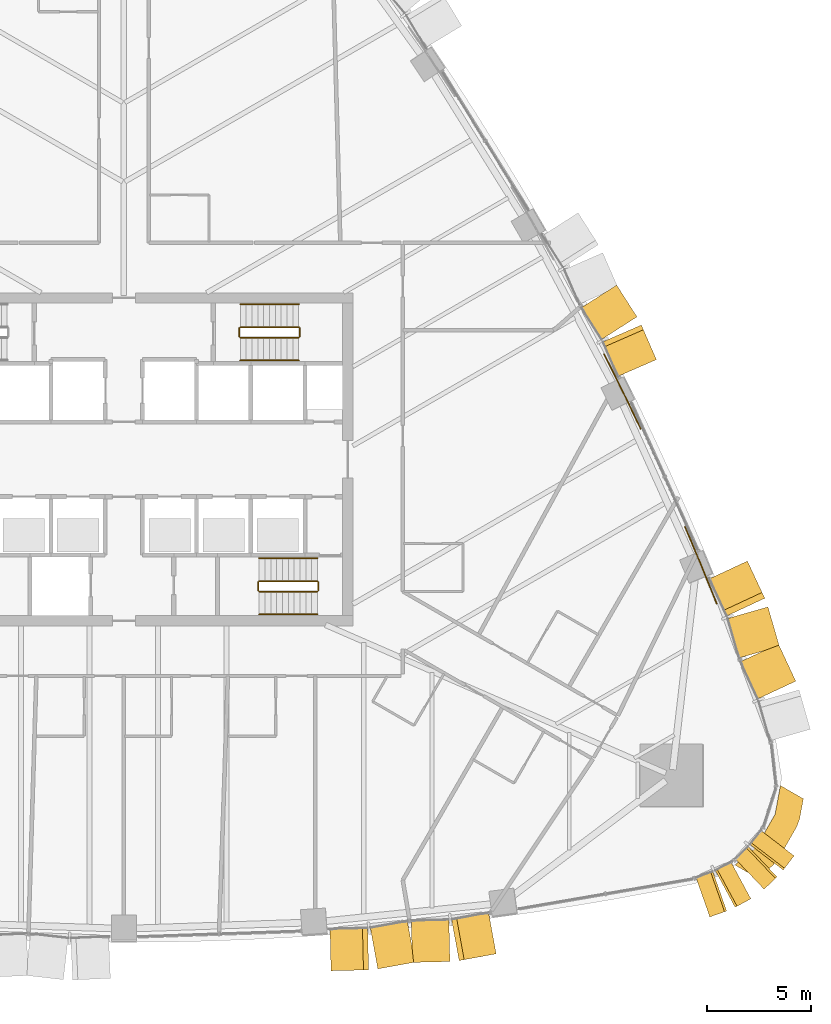
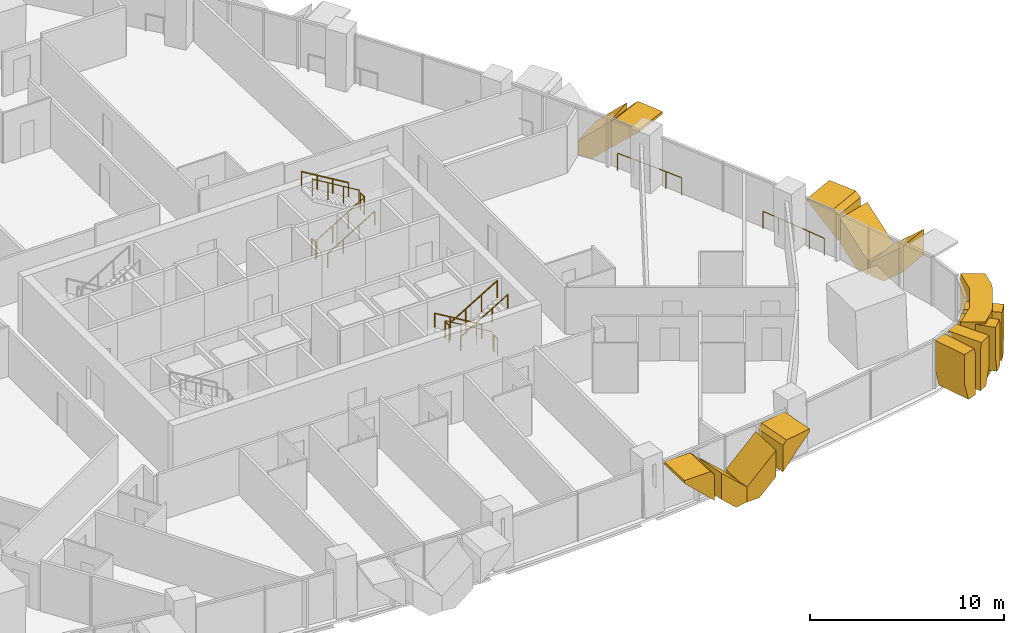
# One storey, part 17 of 19: 14 coverings, 14 railings.
"""IFC4 building model written with IfcOpenShell, lengths in metres."""

from ifc_helpers import new_model, si_unit, direction, frame, origin, origin_2d, place, context, subcontext, project, spatial, polyline, circle, outline, extrude, material, layer, layer_set, type_object, element, save


model = new_model("IFC4")

# Units and contexts
model_context = context("Model", 3, precision=1e-05, world=origin(), true_north=direction((0.0, 1.0)))
body_context = subcontext(model_context, "Body", "Model", "MODEL_VIEW")
ifc_project = project(units=[si_unit("LENGTHUNIT", "METRE"), si_unit("AREAUNIT", "SQUARE_METRE"), si_unit("VOLUMEUNIT", "CUBIC_METRE"), si_unit("PLANEANGLEUNIT", "RADIAN"), si_unit("MASSUNIT", "GRAM", prefix="KILO")], contexts=[model_context])

# Site, building, storey
site_placement = place(None, origin())
site = spatial("IfcSite", under=ifc_project, at=site_placement, CompositionType="ELEMENT")
building_placement = place(site_placement, origin())
building = spatial("IfcBuilding", under=site, at=building_placement, Name="Sierra Prisma Convention Tower", CompositionType="ELEMENT")
storey_placement = place(building_placement, frame((0.0, 0.0, 77.60009765625)))
storey = spatial("IfcBuildingStorey", under=building, at=storey_placement, Name="L15", CompositionType="ELEMENT", Elevation=77.60009765625)

# Coverings
ifc_material_1 = material(Name="Aluminium composite bronze anodised", Category="aluminium")
ifc_layer_1 = layer(ifc_material_1, 1.199951171875)
ifc_layer_set_1 = layer_set([ifc_layer_1], Name="Bronze corner pier")
covering_type_1 = type_object("IfcCoveringType", Name="Bronze corner pier", PredefinedType="CLADDING", material=ifc_layer_set_1)
covering_1_placement = place(storey_placement, frame((0.0, 0.0, -0.60009765625)))
element("IfcCovering", 1, at=covering_1_placement, inside=storey, type_object=covering_type_1, Name="Corner pier SE L15.1", PredefinedType="CLADDING", context=body_context, shape_type="SweptSolid", body=[
    extrude(outline(polyline([(32.46337890625, -17.268798828125), (32.32421875, -17.64794921875), (31.44384765625, -19.1826171875), (31.18701171875, -19.494140625), (30.456298828125, -20.124267578125), (29.355712890625, -19.489013671875), (30.403076171875, -18.58544921875), (31.283447265625, -17.05078125), (31.538818359375, -15.668701171875), (32.641357421875, -16.30517578125), (32.46337890625, -17.268798828125)])), origin(), (0.0, 0.0, 1.0), 3.699951171875),
])
ifc_material_2 = material(Name="Aluminium 6063-T6 bronze anodised", Category="aluminium")
ifc_layer_2 = layer(ifc_material_2, 2.0)
ifc_layer_set_2 = layer_set([ifc_layer_2], Name="Bronze crystal chevron frame")
covering_type_2 = type_object("IfcCoveringType", Name="Bronze crystal chevron frame", PredefinedType="CLADDING", material=ifc_layer_set_2)
covering_2_placement = place(storey_placement, frame((9.95263671875, -24.56787109375, 2.97998046875), z_axis=(0.023763346947, -0.999717611642, 1.7764128e-05), x_axis=(4.22135e-07, -1.7759112e-05, -0.999999999842)))
element("IfcCovering", 2, at=covering_2_placement, inside=storey, type_object=covering_type_2, Name="CW-2 chevron frame S5.1.1", PredefinedType="CLADDING", context=body_context, shape_type="SweptSolid", body=[
    extrude(outline(polyline([(0.0, 0.0), (0.16796874997349753, 0.0), (1.898193359150461, 1.8083718907317279), (0.23754882816248096, 1.8083718907317279), (-5.770449973802299e-10, 1.5602558228814083), (0.0, 0.0)])), origin(), (0.0, 0.0, -1.0), 2.0),
])
covering_3_placement = place(storey_placement, frame((12.20166015625, -24.4794921875, 2.6181640625), z_axis=(0.179833012447, -0.983697152382, -5.42675e-06), x_axis=(-9.75909e-07, 5.338279e-06, -0.999999999985)))
element("IfcCovering", 3, at=covering_3_placement, inside=storey, type_object=covering_type_2, Name="CW-2 chevron frame S5.1.2", PredefinedType="CLADDING", context=body_context, shape_type="SweptSolid", body=[
    extrude(outline(polyline([(0.0, 0.0), (1.6608886718505438, 0.0), (2.6181640625646945, 1.00044437292146), (2.6181640624896394, 1.8082898010119501), (1.7304687500027107, 1.8082898010119501), (0.0, 0.0)])), origin(), (0.0, 0.0, -1.0), 2.0),
])
covering_4_placement = place(storey_placement, frame((13.85693359375, -24.1669921875, 0.0), z_axis=(0.02373394909, -0.999718308848, 5.1142399e-05), x_axis=(0.999718310155, 0.023733949121, -8.252e-09)))
element("IfcCovering", 4, at=covering_4_placement, inside=storey, type_object=covering_type_2, Name="CW-2 chevron frame S5.2.1", PredefinedType="CLADDING", context=body_context, shape_type="SweptSolid", body=[
    extrude(outline(polyline([(0.0, 0.0), (0.8078416547910401, 0.0), (1.808371882174955, 0.9572754067987472), (1.8083718684700694, 2.6181640765016825), (-7.3248514268709415e-09, 0.8876953113390963), (0.0, 0.0)])), origin(), (0.0, 0.0, -1.0), 2.0),
])
covering_5_placement = place(storey_placement, frame((17.885009765625, -23.753662109375, 2.97998046875), z_axis=(0.179808772315, -0.9837015832, 2.4650527e-05), x_axis=(-0.983701583499, -0.17980877237, 7.12e-10)))
element("IfcCovering", 5, at=covering_5_placement, inside=storey, type_object=covering_type_2, Name="CW-2 chevron frame S5.2.2", PredefinedType="CLADDING", context=body_context, shape_type="SweptSolid", body=[
    extrude(outline(polyline([(0.0, 0.0), (1.5603349938751157, 1.6940658945086007e-21), (1.8085299616851722, 0.23754882948507314), (1.808529960502585, 1.898193360230529), (-1.1961480336487071e-10, 0.16796874994896704), (0.0, 0.0)])), origin(), (0.0, 0.0, -1.0), 2.0),
])
covering_6_placement = place(storey_placement, frame((28.14794921875, -21.9814453125, 2.97998046875), z_axis=(0.331055003275, -0.943611458527, 1.1947618e-05), x_axis=(3.955319e-06, -1.1273909e-05, -0.999999999929)))
element("IfcCovering", 6, at=covering_6_placement, inside=storey, type_object=covering_type_2, Name="CW-2 chevron frame SE1.1.1", PredefinedType="CLADDING", context=body_context, shape_type="SweptSolid", body=[
    extrude(outline(polyline([(0.0, 0.0), (1.8415527342435631, -7.79927920060936e-22), (2.9799804698605787, 0.30267528269239935), (2.979980468761221, 0.8584596785782079), (0.3996582033203856, 0.8584596785782079), (6.541490691355289e-10, 0.7523677307025315), (0.0, 0.0)])), origin(), (0.0, 0.0, -1.0), 2.0),
])
covering_7_placement = place(storey_placement, frame((29.85302734375, -21.25439453125, 0.0), z_axis=(0.474620435787, -0.880190571357, 5.280576e-06), x_axis=(0.226171980448, 0.121963300541, 0.96642184815)))
element("IfcCovering", 7, at=covering_7_placement, inside=storey, type_object=covering_type_2, Name="CW-2 chevron frame SE1.1.2", PredefinedType="CLADDING", context=body_context, shape_type="SweptSolid", body=[
    extrude(outline(polyline([(0.0, 0.0), (1.177982200344281, -5.551115123125783e-17), (2.9576989973643095, 0.47320671571126643), (2.7643858333831304, 1.2002519420322955), (2.350865112229728, 1.2001634345939938), (-0.1428147005376967, 0.537121968552316), (0.0, 0.0)])), origin(), (0.0, 0.0, -1.0), 2.0),
])
covering_8_placement = place(storey_placement, frame((30.75537109375, -20.649658203125, 2.97998046875), z_axis=(0.689101568603, -0.724664769313, -1.629586e-05), x_axis=(-1.1229503e-05, 1.1809036e-05, -0.999999999867)))
element("IfcCovering", 8, at=covering_8_placement, inside=storey, type_object=covering_type_2, Name="CW-2 chevron frame SE2.1.1", PredefinedType="CLADDING", context=body_context, shape_type="SweptSolid", body=[
    extrude(outline(polyline([(0.0, 0.0), (1.8415527341304834, 0.0), (2.9799804685552567, 0.30254924379748455), (2.9799804684813958, 0.8584323567874078), (0.3996582031990041, 0.8584323567874078), (-1.1955235108151267e-09, 0.7522312159250484), (0.0, 0.0)])), origin(), (0.0, 0.0, -1.0), 2.0),
])
covering_9_placement = place(storey_placement, frame((32.011962890625, -19.287109375, 0.0), z_axis=(0.793940164471, -0.607995900461, 1.6180355e-05), x_axis=(0.156126690761, 0.203900862073, 0.966462050408)))
element("IfcCovering", 9, at=covering_9_placement, inside=storey, type_object=covering_type_2, Name="CW-2 chevron frame SE2.1.2", PredefinedType="CLADDING", context=body_context, shape_type="SweptSolid", body=[
    extrude(outline(polyline([(0.0, 0.0), (1.1779332000666813, 5.551115123125783e-17), (2.9577240316644406, 0.4729281852001799), (2.7645680745293975, 1.1998402440489042), (2.3509885706607374, 1.2000376370951626), (-0.14279497688754803, 0.5373864387151148), (0.0, 0.0)])), origin(), (0.0, 0.0, -1.0), 2.0),
])
covering_10_placement = place(storey_placement, frame((32.276611328125, -10.6572265625, 2.592529296875), z_axis=(0.906321258159, 0.422589371599, 4.576506e-06), x_axis=(4.147784e-06, 1.933983e-06, -0.99999999999)))
element("IfcCovering", 10, at=covering_10_placement, inside=storey, type_object=covering_type_2, Name="CW-2 chevron frame NE1.1.2", PredefinedType="CLADDING", context=body_context, shape_type="SweptSolid", body=[
    extrude(outline(polyline([(0.0, 0.0), (1.6000976562332434, 0.0), (2.5925292969200107, 1.1254429473903198), (2.5925292968686366, 1.9723643474029777), (1.7397460937525668, 1.9723643474029777), (0.0, 0.0)])), origin(), (0.0, 0.0, -1.0), 2.0),
])
covering_11_placement = place(storey_placement, frame((31.253173828125, -8.171630859375, 0.0), z_axis=(0.961241936999, 0.275706250813, -4.2618418e-05), x_axis=(-0.206736334129, 0.720882555121, 0.66150467109)))
element("IfcCovering", 11, at=covering_11_placement, inside=storey, type_object=covering_type_2, Name="CW-2 chevron frame NE1.2.1", PredefinedType="CLADDING", context=body_context, shape_type="SweptSolid", body=[
    extrude(outline(polyline([(0.0, 0.0), (1.5002640018330933, -1.1102230246251565e-16), (2.558736075642067, 1.1999789055866366), (-0.07113139086258424, 1.1998769256326183), (-0.6352514631565642, 0.5603398006380924), (0.0, 0.0)])), origin(), (0.0, 0.0, -1.0), 2.0),
])
covering_12_placement = place(storey_placement, frame((29.95458984375, -4.88720703125, 2.97998046875), z_axis=(0.906342768838, 0.422543227047, -8.1553416e-05), x_axis=(0.422543228453, -0.906342771852, 6.931e-09)))
element("IfcCovering", 12, at=covering_12_placement, inside=storey, type_object=covering_type_2, Name="CW-2 chevron frame NE1.2.2", PredefinedType="CLADDING", context=body_context, shape_type="SweptSolid", body=[
    extrude(outline(polyline([(0.0, 0.0), (1.6631499580397813, 6.776263578034403e-21), (1.9720399081292384, 0.27270509269990234), (1.9720398970391089, 1.8728027436288102), (-9.222033247909847e-10, 0.13305664018252283), (0.0, 0.0)])), origin(), (0.0, 0.0, -1.0), 2.0),
])
covering_13_placement = place(storey_placement, frame((25.58349609375, 4.790283203125, 2.97998046875), z_axis=(0.916418735579, 0.400220814758, 2.2660586e-05), x_axis=(2.0766586e-05, 9.069238e-06, -0.999999999743)))
element("IfcCovering", 13, at=covering_13_placement, inside=storey, type_object=covering_type_2, Name="CW-2 chevron frame NE3.1.1", PredefinedType="CLADDING", context=body_context, shape_type="SweptSolid", body=[
    extrude(outline(polyline([(0.0, 0.0), (0.16699218745712457, 0.0), (1.8977050777602456, 1.8123663820065028), (0.23852539068624165, 1.8123663820065028), (-9.377432036873618e-10, 1.562763191397027), (0.0, 0.0)])), origin(), (0.0, 0.0, -1.0), 2.0),
])
covering_14_placement = place(storey_placement, frame((24.649169921875, 6.84228515625, 2.617431640625), z_axis=(0.842600298881, 0.538539445937, -3.8665118e-05), x_axis=(-3.257924e-05, -2.0822691e-05, -0.999999999253)))
element("IfcCovering", 14, at=covering_14_placement, inside=storey, type_object=covering_type_2, Name="CW-2 chevron frame NE3.1.2", PredefinedType="CLADDING", context=body_context, shape_type="SweptSolid", body=[
    extrude(outline(polyline([(0.0, 0.0), (1.6591796862597705, 0.0), (2.617431643907156, 1.0034792898932858), (2.61743164010106, 1.812389057594679), (1.7307128907638782, 1.812389057594679), (0.0, 0.0)])), origin(), (0.0, 0.0, -1.0), 2.0),
])

# Railings
ifc_material_3 = material(Name="Stainless steel", Category="steel")
railing_type_1 = type_object("IfcRailingType", Name="Exit stair handrail", PredefinedType="HANDRAIL", material=ifc_material_3)
railing_1_placement = place(storey_placement, frame((9.300048828125, -4.75, 0.16796875)))
element("IfcRailing", 15, at=railing_1_placement, inside=storey, type_object=railing_type_1, Name="L15 S2 stair handrail 1", PredefinedType="HANDRAIL", context=body_context, shape_type="SweptSolid", body=[
    extrude(circle(Radius=0.02392578125, at=origin_2d()), frame((0.0, 0.0, 0.8759765625), z_axis=(-0.857242210791, 0.0, 0.514913383045), x_axis=(0.0, -1.0, 0.0)), (0.0, 0.0, 1.0), 3.266357421875),
    extrude(circle(Radius=0.02099609375, at=origin_2d()), origin(), (0.0, 0.0, 1.0), 0.851806640625),
    extrude(circle(Radius=0.02099609375, at=origin_2d()), frame((-0.933349609375, 0.0, 0.560546875)), (0.0, 0.0, 1.0), 0.851806640625),
    extrude(circle(Radius=0.02099609375, at=origin_2d()), frame((-1.86669921875, 0.0, 1.121337890625)), (0.0, 0.0, 1.0), 0.851806640625),
    extrude(circle(Radius=0.02099609375, at=origin_2d()), frame((-2.800048828125, 0.0, 1.681884765625)), (0.0, 0.0, 1.0), 0.851806640625),
])
railing_2_placement = place(storey_placement, frame((6.5, -7.449951171875, 2.01806640625)))
element("IfcRailing", 16, at=railing_2_placement, inside=storey, type_object=railing_type_1, Name="L15 S2 stair handrail 2", PredefinedType="HANDRAIL", context=body_context, shape_type="SweptSolid", body=[
    extrude(circle(Radius=0.02392578125, at=origin_2d()), frame((0.0, 0.0, 0.8759765625), z_axis=(0.857242210791, 0.0, 0.514913383045), x_axis=(0.0, 1.0, 0.0)), (0.0, 0.0, 1.0), 3.266357421875),
    extrude(circle(Radius=0.02099609375, at=origin_2d()), origin(), (0.0, 0.0, 1.0), 0.851806640625),
    extrude(circle(Radius=0.02099609375, at=origin_2d()), frame((0.933349609375, 0.0, 0.560546875)), (0.0, 0.0, 1.0), 0.851806640625),
    extrude(circle(Radius=0.02099609375, at=origin_2d()), frame((1.86669921875, 0.0, 1.121337890625)), (0.0, 0.0, 1.0), 0.851806640625),
    extrude(circle(Radius=0.02099609375, at=origin_2d()), frame((2.800048828125, 0.0, 1.681884765625)), (0.0, 0.0, 1.0), 0.851806640625),
])
railing_3_placement = place(storey_placement, frame((5.60009765625, 4.75, 0.16796875)))
element("IfcRailing", 17, at=railing_3_placement, inside=storey, type_object=railing_type_1, Name="L15 S4 stair handrail 1", PredefinedType="HANDRAIL", context=body_context, shape_type="SweptSolid", body=[
    extrude(circle(Radius=0.02392578125, at=origin_2d()), frame((0.0, 0.0, 0.8759765625), z_axis=(0.857222391501, 0.0, 0.514946377315), x_axis=(0.0, 1.0, 0.0)), (0.0, 0.0, 1.0), 3.26611328125),
    extrude(circle(Radius=0.02099609375, at=origin_2d()), origin(), (0.0, 0.0, 1.0), 0.851806640625),
    extrude(circle(Radius=0.02099609375, at=origin_2d()), frame((0.933349609375, 0.0, 0.560546875)), (0.0, 0.0, 1.0), 0.851806640625),
    extrude(circle(Radius=0.02099609375, at=origin_2d()), frame((1.866455078125, 0.0, 1.121337890625)), (0.0, 0.0, 1.0), 0.851806640625),
    extrude(circle(Radius=0.02099609375, at=origin_2d()), frame((2.7998046875, 0.0, 1.681884765625)), (0.0, 0.0, 1.0), 0.851806640625),
])
railing_4_placement = place(storey_placement, frame((8.39990234375, 7.449951171875, 2.01806640625)))
element("IfcRailing", 18, at=railing_4_placement, inside=storey, type_object=railing_type_1, Name="L15 S4 stair handrail 2", PredefinedType="HANDRAIL", context=body_context, shape_type="SweptSolid", body=[
    extrude(circle(Radius=0.02392578125, at=origin_2d()), frame((0.0, 0.0, 0.8759765625), z_axis=(-0.857222391501, 0.0, 0.514946377315), x_axis=(0.0, -1.0, 0.0)), (0.0, 0.0, 1.0), 3.26611328125),
    extrude(circle(Radius=0.02099609375, at=origin_2d()), origin(), (0.0, 0.0, 1.0), 0.851806640625),
    extrude(circle(Radius=0.02099609375, at=origin_2d()), frame((-0.933349609375, 0.0, 0.560546875)), (0.0, 0.0, 1.0), 0.851806640625),
    extrude(circle(Radius=0.02099609375, at=origin_2d()), frame((-1.866455078125, 0.0, 1.121337890625)), (0.0, 0.0, 1.0), 0.851806640625),
    extrude(circle(Radius=0.02099609375, at=origin_2d()), frame((-2.7998046875, 0.0, 1.681884765625)), (0.0, 0.0, 1.0), 0.851806640625),
])
ifc_material_4 = material(Name="Bronze anodised aluminium", Category="aluminium")
railing_type_2 = type_object("IfcRailingType", Name="Facade guard 1100", PredefinedType="GUARDRAIL", material=ifc_material_4)
railing_5_placement = place(storey_placement, frame((28.4755859375, -6.9296875, 0.0)))
element("IfcRailing", 19, at=railing_5_placement, inside=storey, type_object=railing_type_2, Name="Facade guard", PredefinedType="GUARDRAIL", context=body_context, shape_type="SweptSolid", body=[
    extrude(circle(Radius=0.02392578125, at=origin_2d()), frame((0.0, 0.0, 1.076171875), z_axis=(-0.369993351849, 0.929034401724, 0.0), x_axis=(-0.929034401724, -0.369993351849, 0.0)), (0.0, 0.0, 1.0), 0.994384765625),
    extrude(circle(Radius=0.02392578125, at=origin_2d()), frame((-0.367919921875, 0.923828125, 1.076171875), z_axis=(-0.378746944728, 0.925500271129, 0.0), x_axis=(-0.925500271129, -0.378746944728, 0.0)), (0.0, 0.0, 1.0), 0.999755859375),
    extrude(circle(Radius=0.02392578125, at=origin_2d()), frame((-0.74658203125, 1.84912109375, 1.076171875), z_axis=(-0.383760955271, 0.923432471386, 0.0), x_axis=(-0.923432471386, -0.383760955271, 0.0)), (0.0, 0.0, 1.0), 0.994384765625),
    extrude(circle(Radius=0.02392578125, at=origin_2d()), frame((-1.128173828125, 2.767333984375, 1.076171875), z_axis=(-0.392003623826, 0.919963672602, 0.0), x_axis=(-0.919963672602, -0.392003623826, 0.0)), (0.0, 0.0, 1.0), 1.000244140625),
    extrude(circle(Radius=0.02099609375, at=origin_2d()), origin(), (0.0, 0.0, 1.0), 1.052001953125),
    extrude(circle(Radius=0.02099609375, at=origin_2d()), frame((-0.367919921875, 0.923828125, 0.0)), (0.0, 0.0, 1.0), 1.052001953125),
    extrude(circle(Radius=0.02099609375, at=origin_2d()), frame((-0.74658203125, 1.84912109375, 0.0)), (0.0, 0.0, 1.0), 1.052001953125),
    extrude(circle(Radius=0.02099609375, at=origin_2d()), frame((-1.128173828125, 2.767333984375, 0.0)), (0.0, 0.0, 1.0), 1.052001953125),
    extrude(circle(Radius=0.02099609375, at=origin_2d()), frame((-1.520263671875, 3.6875, 0.0)), (0.0, 0.0, 1.0), 1.052001953125),
])
railing_6_placement = place(storey_placement, frame((24.826904296875, 1.47021484375, 0.0)))
element("IfcRailing", 20, at=railing_6_placement, inside=storey, type_object=railing_type_2, Name="Facade guard", PredefinedType="GUARDRAIL", context=body_context, shape_type="SweptSolid", body=[
    extrude(circle(Radius=0.02392578125, at=origin_2d()), frame((0.0, 0.0, 1.076171875), z_axis=(-0.430634686673, 0.902526324621, 0.0), x_axis=(-0.902526324621, -0.430634686673, 0.0)), (0.0, 0.0, 1.0), 1.0),
    extrude(circle(Radius=0.02392578125, at=origin_2d()), frame((-0.4306640625, 0.902587890625, 1.076171875), z_axis=(-0.439536003583, 0.898224972685, 0.0), x_axis=(-0.898224972685, -0.439536003583, 0.0)), (0.0, 0.0, 1.0), 0.994140625),
    extrude(circle(Radius=0.02392578125, at=origin_2d()), frame((-0.86767578125, 1.795654296875, 1.076171875), z_axis=(-0.443596720488, 0.89622650573, 0.0), x_axis=(-0.89622650573, -0.443596720488, 0.0)), (0.0, 0.0, 1.0), 1.0),
    extrude(circle(Radius=0.02392578125, at=origin_2d()), frame((-1.311279296875, 2.69189453125, 1.076171875), z_axis=(-0.452608247892, 0.891709467226, 0.0), x_axis=(-0.891709467226, -0.452608247892, 0.0)), (0.0, 0.0, 1.0), 0.994140625),
    extrude(circle(Radius=0.02099609375, at=origin_2d()), origin(), (0.0, 0.0, 1.0), 1.052001953125),
    extrude(circle(Radius=0.02099609375, at=origin_2d()), frame((-0.4306640625, 0.902587890625, 0.0)), (0.0, 0.0, 1.0), 1.052001953125),
    extrude(circle(Radius=0.02099609375, at=origin_2d()), frame((-0.86767578125, 1.795654296875, 0.0)), (0.0, 0.0, 1.0), 1.052001953125),
    extrude(circle(Radius=0.02099609375, at=origin_2d()), frame((-1.311279296875, 2.69189453125, 0.0)), (0.0, 0.0, 1.0), 1.052001953125),
    extrude(circle(Radius=0.02099609375, at=origin_2d()), frame((-1.76123046875, 3.578369140625, 0.0)), (0.0, 0.0, 1.0), 1.052001953125),
])
ifc_material_5 = material(Name="Stainless steel", Category="steel")
railing_type_3 = type_object("IfcRailingType", Name="Stair guard 1100", PredefinedType="GUARDRAIL", material=ifc_material_5)
railing_7_placement = place(storey_placement, frame((9.300048828125, -5.85009765625, 0.16796875)))
element("IfcRailing", 21, at=railing_7_placement, inside=storey, type_object=railing_type_3, Name="L15 S2 stair guard 1", PredefinedType="GUARDRAIL", context=body_context, shape_type="SweptSolid", body=[
    extrude(circle(Radius=0.02392578125, at=origin_2d()), frame((0.0, 0.0, 1.076171875), z_axis=(-0.857242210791, 0.0, 0.514913383045), x_axis=(0.0, -1.0, 0.0)), (0.0, 0.0, 1.0), 3.266357421875),
    extrude(circle(Radius=0.02099609375, at=origin_2d()), origin(), (0.0, 0.0, 1.0), 1.052001953125),
    extrude(circle(Radius=0.02099609375, at=origin_2d()), frame((-0.933349609375, 0.0, 0.560546875)), (0.0, 0.0, 1.0), 1.052001953125),
    extrude(circle(Radius=0.02099609375, at=origin_2d()), frame((-1.86669921875, 0.0, 1.121337890625)), (0.0, 0.0, 1.0), 1.052001953125),
    extrude(circle(Radius=0.02099609375, at=origin_2d()), frame((-2.800048828125, 0.0, 1.681884765625)), (0.0, 0.0, 1.0), 1.052001953125),
])
railing_8_placement = place(storey_placement, frame((6.449951171875, -5.89990234375, 1.849853515625)))
element("IfcRailing", 22, at=railing_8_placement, inside=storey, type_object=railing_type_3, Name="L15 S2 stair guard 2", PredefinedType="GUARDRAIL", context=body_context, shape_type="SweptSolid", body=[
    extrude(circle(Radius=0.02392578125, at=origin_2d()), frame((0.0, 0.0, 1.076171875), z_axis=(0.0, -1.0, 0.0), x_axis=(1.0, 0.0, 0.0)), (0.0, 0.0, 1.0), 0.400146484375),
    extrude(circle(Radius=0.02099609375, at=origin_2d()), origin(), (0.0, 0.0, 1.0), 1.052001953125),
    extrude(circle(Radius=0.02099609375, at=origin_2d()), frame((0.0, -0.400146484375, 0.0)), (0.0, 0.0, 1.0), 1.052001953125),
])
railing_9_placement = place(storey_placement, frame((6.5, -6.35009765625, 2.01806640625)))
element("IfcRailing", 23, at=railing_9_placement, inside=storey, type_object=railing_type_3, Name="L15 S2 stair guard 3", PredefinedType="GUARDRAIL", context=body_context, shape_type="SweptSolid", body=[
    extrude(circle(Radius=0.02392578125, at=origin_2d()), frame((0.0, 0.0, 1.076171875), z_axis=(0.857242210791, 0.0, 0.514913383045), x_axis=(0.0, 1.0, 0.0)), (0.0, 0.0, 1.0), 3.266357421875),
    extrude(circle(Radius=0.02099609375, at=origin_2d()), origin(), (0.0, 0.0, 1.0), 1.052001953125),
    extrude(circle(Radius=0.02099609375, at=origin_2d()), frame((0.933349609375, 0.0, 0.560546875)), (0.0, 0.0, 1.0), 1.052001953125),
    extrude(circle(Radius=0.02099609375, at=origin_2d()), frame((1.86669921875, 0.0, 1.121337890625)), (0.0, 0.0, 1.0), 1.052001953125),
    extrude(circle(Radius=0.02099609375, at=origin_2d()), frame((2.800048828125, 0.0, 1.681884765625)), (0.0, 0.0, 1.0), 1.052001953125),
])
railing_10_placement = place(storey_placement, frame((9.35009765625, -5.89990234375, 0.0)))
element("IfcRailing", 24, at=railing_10_placement, inside=storey, type_object=railing_type_3, Name="L15 S2 stair guard 4", PredefinedType="GUARDRAIL", context=body_context, shape_type="SweptSolid", body=[
    extrude(circle(Radius=0.02392578125, at=origin_2d()), frame((0.0, 0.0, 1.076171875), z_axis=(0.0, -1.0, 0.0), x_axis=(1.0, 0.0, 0.0)), (0.0, 0.0, 1.0), 0.400146484375),
    extrude(circle(Radius=0.02099609375, at=origin_2d()), origin(), (0.0, 0.0, 1.0), 1.052001953125),
    extrude(circle(Radius=0.02099609375, at=origin_2d()), frame((0.0, -0.400146484375, 0.0)), (0.0, 0.0, 1.0), 1.052001953125),
])
railing_11_placement = place(storey_placement, frame((5.60009765625, 5.85009765625, 0.16796875)))
element("IfcRailing", 25, at=railing_11_placement, inside=storey, type_object=railing_type_3, Name="L15 S4 stair guard 1", PredefinedType="GUARDRAIL", context=body_context, shape_type="SweptSolid", body=[
    extrude(circle(Radius=0.02392578125, at=origin_2d()), frame((0.0, 0.0, 1.076171875), z_axis=(0.857222391501, 0.0, 0.514946377315), x_axis=(0.0, 1.0, 0.0)), (0.0, 0.0, 1.0), 3.26611328125),
    extrude(circle(Radius=0.02099609375, at=origin_2d()), origin(), (0.0, 0.0, 1.0), 1.052001953125),
    extrude(circle(Radius=0.02099609375, at=origin_2d()), frame((0.933349609375, 0.0, 0.560546875)), (0.0, 0.0, 1.0), 1.052001953125),
    extrude(circle(Radius=0.02099609375, at=origin_2d()), frame((1.866455078125, 0.0, 1.121337890625)), (0.0, 0.0, 1.0), 1.052001953125),
    extrude(circle(Radius=0.02099609375, at=origin_2d()), frame((2.7998046875, 0.0, 1.681884765625)), (0.0, 0.0, 1.0), 1.052001953125),
])
railing_12_placement = place(storey_placement, frame((8.449951171875, 5.89990234375, 1.849853515625)))
element("IfcRailing", 26, at=railing_12_placement, inside=storey, type_object=railing_type_3, Name="L15 S4 stair guard 2", PredefinedType="GUARDRAIL", context=body_context, shape_type="SweptSolid", body=[
    extrude(circle(Radius=0.02392578125, at=origin_2d()), frame((0.0, 0.0, 1.076171875), z_axis=(0.0, 1.0, 0.0), x_axis=(-1.0, 0.0, 0.0)), (0.0, 0.0, 1.0), 0.400146484375),
    extrude(circle(Radius=0.02099609375, at=origin_2d()), origin(), (0.0, 0.0, 1.0), 1.052001953125),
    extrude(circle(Radius=0.02099609375, at=origin_2d()), frame((0.0, 0.400146484375, 0.0)), (0.0, 0.0, 1.0), 1.052001953125),
])
railing_13_placement = place(storey_placement, frame((8.39990234375, 6.35009765625, 2.01806640625)))
element("IfcRailing", 27, at=railing_13_placement, inside=storey, type_object=railing_type_3, Name="L15 S4 stair guard 3", PredefinedType="GUARDRAIL", context=body_context, shape_type="SweptSolid", body=[
    extrude(circle(Radius=0.02392578125, at=origin_2d()), frame((0.0, 0.0, 1.076171875), z_axis=(-0.857222391501, 0.0, 0.514946377315), x_axis=(0.0, -1.0, 0.0)), (0.0, 0.0, 1.0), 3.26611328125),
    extrude(circle(Radius=0.02099609375, at=origin_2d()), origin(), (0.0, 0.0, 1.0), 1.052001953125),
    extrude(circle(Radius=0.02099609375, at=origin_2d()), frame((-0.933349609375, 0.0, 0.560546875)), (0.0, 0.0, 1.0), 1.052001953125),
    extrude(circle(Radius=0.02099609375, at=origin_2d()), frame((-1.866455078125, 0.0, 1.121337890625)), (0.0, 0.0, 1.0), 1.052001953125),
    extrude(circle(Radius=0.02099609375, at=origin_2d()), frame((-2.7998046875, 0.0, 1.681884765625)), (0.0, 0.0, 1.0), 1.052001953125),
])
railing_14_placement = place(storey_placement, frame((5.550048828125, 5.89990234375, 0.0)))
element("IfcRailing", 28, at=railing_14_placement, inside=storey, type_object=railing_type_3, Name="L15 S4 stair guard 4", PredefinedType="GUARDRAIL", context=body_context, shape_type="SweptSolid", body=[
    extrude(circle(Radius=0.02392578125, at=origin_2d()), frame((0.0, 0.0, 1.076171875), z_axis=(0.0, 1.0, 0.0), x_axis=(-1.0, 0.0, 0.0)), (0.0, 0.0, 1.0), 0.400146484375),
    extrude(circle(Radius=0.02099609375, at=origin_2d()), origin(), (0.0, 0.0, 1.0), 1.052001953125),
    extrude(circle(Radius=0.02099609375, at=origin_2d()), frame((0.0, 0.400146484375, 0.0)), (0.0, 0.0, 1.0), 1.052001953125),
])

save(model, "model.ifc")
